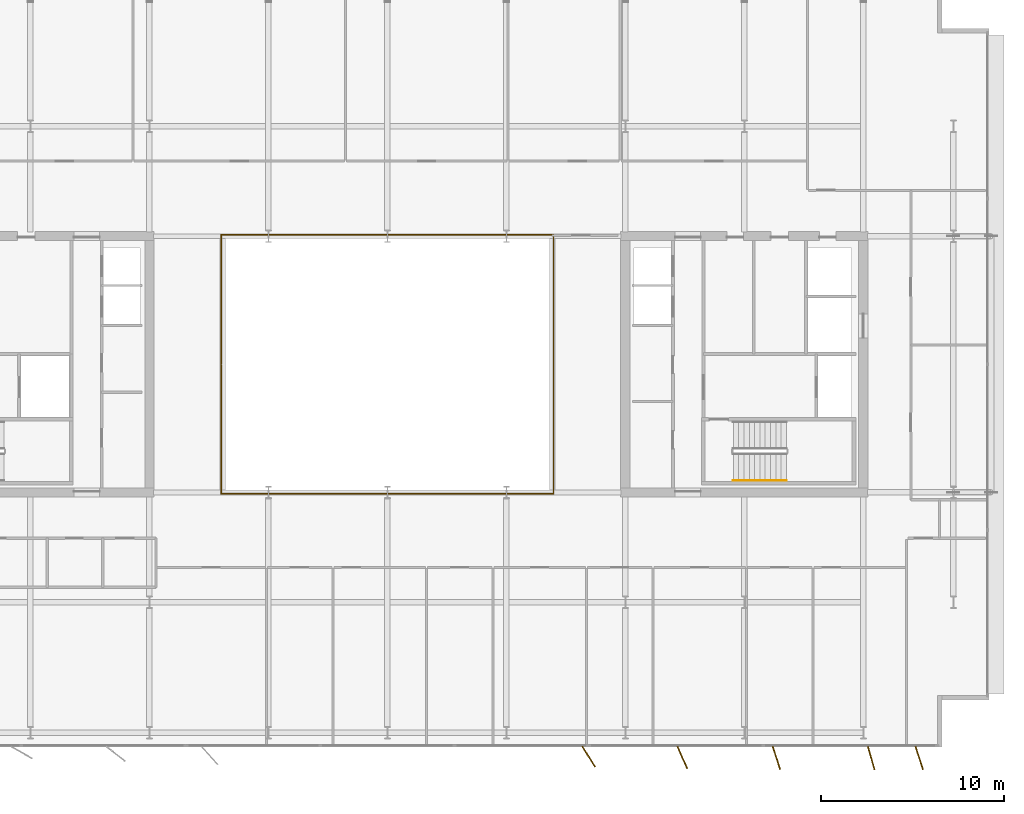
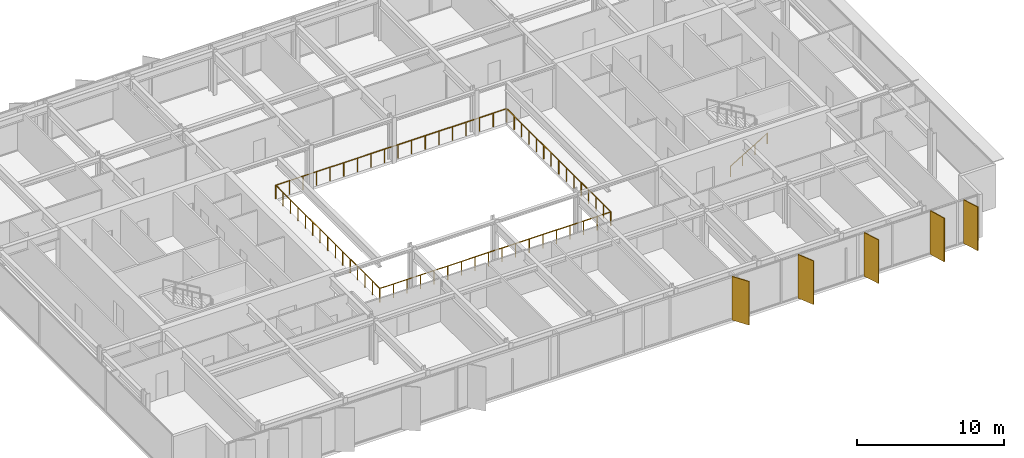
# One storey, part 18 of 20: 5 shading devices, 3 railings.
"""IFC4 building model written with IfcOpenShell, lengths in metres."""

from ifc_helpers import new_model, si_unit, direction, frame, origin, origin_2d, place, context, subcontext, project, spatial, rectangle, circle, extrude, material, layer, layer_set, type_object, element, save


model = new_model("IFC4")

# Units and contexts
model_context = context("Model", 3, precision=1e-05, world=origin(), true_north=direction((0.0, 1.0)))
body_context = subcontext(model_context, "Body", "Model", "MODEL_VIEW")
ifc_project = project(units=[si_unit("LENGTHUNIT", "METRE"), si_unit("AREAUNIT", "SQUARE_METRE"), si_unit("VOLUMEUNIT", "CUBIC_METRE"), si_unit("PLANEANGLEUNIT", "RADIAN"), si_unit("MASSUNIT", "GRAM", prefix="KILO")], contexts=[model_context])

# Site, building, storey
site_placement = place(None, origin())
site = spatial("IfcSite", under=ifc_project, at=site_placement, CompositionType="ELEMENT")
building_placement = place(site_placement, origin())
building = spatial("IfcBuilding", under=site, at=building_placement, Name="Putna Gate Headquarters", CompositionType="ELEMENT")
storey_placement = place(building_placement, frame((0.0, 0.0, 274.60009765625)))
storey = spatial("IfcBuildingStorey", under=building, at=storey_placement, Name="L69", CompositionType="ELEMENT", Elevation=274.60009765625)

# Railings
ifc_material_1 = material(Name="Anodised bronze and laminated glass atrium balustrade", Category="glass")
railing_type_1 = type_object("IfcRailingType", Name="RAIL-ATRIUM-GUARD-1150", PredefinedType="GUARDRAIL", material=ifc_material_1)
railing_1_placement = place(storey_placement, frame((29.919921875, 25.969970703125, 0.0)))
element("IfcRailing", 1, at=railing_1_placement, inside=storey, type_object=railing_type_1, Name="L69 Central Atrium Glazed Balustrade South", PredefinedType="GUARDRAIL", context=body_context, shape_type="SweptSolid", body=[
    extrude(circle(Radius=0.02392578125, at=origin_2d()), frame((0.0, 0.0, 1.1259765625), z_axis=(0.0, -1.0, 0.0), x_axis=(1.0, 0.0, 0.0)), (0.0, 0.0, 1.0), 7.050048828125),
    extrude(circle(Radius=0.02392578125, at=origin_2d()), frame((0.0, -7.050048828125, 1.1259765625), z_axis=(1.0, 0.0, 0.0), x_axis=(0.0, 1.0, 0.0)), (0.0, 0.0, 1.0), 18.16015625),
    extrude(circle(Radius=0.02392578125, at=origin_2d()), frame((18.16015625, -7.050048828125, 1.1259765625), z_axis=(0.0, 1.0, 0.0), x_axis=(-1.0, 0.0, 0.0)), (0.0, 0.0, 1.0), 7.050048828125),
    extrude(circle(Radius=0.02099609375, at=origin_2d()), origin(), (0.0, 0.0, 1.0), 1.101806640625),
    extrude(circle(Radius=0.02099609375, at=origin_2d()), frame((0.0, -1.007080078125, 0.0)), (0.0, 0.0, 1.0), 1.101806640625),
    extrude(circle(Radius=0.02099609375, at=origin_2d()), frame((0.0, -2.014404296875, 0.0)), (0.0, 0.0, 1.0), 1.101806640625),
    extrude(circle(Radius=0.02099609375, at=origin_2d()), frame((0.0, -3.021484375, 0.0)), (0.0, 0.0, 1.0), 1.101806640625),
    extrude(circle(Radius=0.02099609375, at=origin_2d()), frame((0.0, -4.028564453125, 0.0)), (0.0, 0.0, 1.0), 1.101806640625),
    extrude(circle(Radius=0.02099609375, at=origin_2d()), frame((0.0, -5.03564453125, 0.0)), (0.0, 0.0, 1.0), 1.101806640625),
    extrude(circle(Radius=0.02099609375, at=origin_2d()), frame((0.0, -6.04296875, 0.0)), (0.0, 0.0, 1.0), 1.101806640625),
    extrude(circle(Radius=0.02099609375, at=origin_2d()), frame((0.0, -7.050048828125, 0.0)), (0.0, 0.0, 1.0), 1.101806640625),
    extrude(circle(Radius=0.02099609375, at=origin_2d()), frame((1.068359375, -7.050048828125, 0.0)), (0.0, 0.0, 1.0), 1.101806640625),
    extrude(circle(Radius=0.02099609375, at=origin_2d()), frame((2.136474609375, -7.050048828125, 0.0)), (0.0, 0.0, 1.0), 1.101806640625),
    extrude(circle(Radius=0.02099609375, at=origin_2d()), frame((3.204833984375, -7.050048828125, 0.0)), (0.0, 0.0, 1.0), 1.101806640625),
    extrude(circle(Radius=0.02099609375, at=origin_2d()), frame((4.27294921875, -7.050048828125, 0.0)), (0.0, 0.0, 1.0), 1.101806640625),
    extrude(circle(Radius=0.02099609375, at=origin_2d()), frame((5.34130859375, -7.050048828125, 0.0)), (0.0, 0.0, 1.0), 1.101806640625),
    extrude(circle(Radius=0.02099609375, at=origin_2d()), frame((6.409423828125, -7.050048828125, 0.0)), (0.0, 0.0, 1.0), 1.101806640625),
    extrude(circle(Radius=0.02099609375, at=origin_2d()), frame((7.477783203125, -7.050048828125, 0.0)), (0.0, 0.0, 1.0), 1.101806640625),
    extrude(circle(Radius=0.02099609375, at=origin_2d()), frame((8.5458984375, -7.050048828125, 0.0)), (0.0, 0.0, 1.0), 1.101806640625),
    extrude(circle(Radius=0.02099609375, at=origin_2d()), frame((9.6142578125, -7.050048828125, 0.0)), (0.0, 0.0, 1.0), 1.101806640625),
    extrude(circle(Radius=0.02099609375, at=origin_2d()), frame((10.682373046875, -7.050048828125, 0.0)), (0.0, 0.0, 1.0), 1.101806640625),
    extrude(circle(Radius=0.02099609375, at=origin_2d()), frame((11.750732421875, -7.050048828125, 0.0)), (0.0, 0.0, 1.0), 1.101806640625),
    extrude(circle(Radius=0.02099609375, at=origin_2d()), frame((12.81884765625, -7.050048828125, 0.0)), (0.0, 0.0, 1.0), 1.101806640625),
    extrude(circle(Radius=0.02099609375, at=origin_2d()), frame((13.88720703125, -7.050048828125, 0.0)), (0.0, 0.0, 1.0), 1.101806640625),
    extrude(circle(Radius=0.02099609375, at=origin_2d()), frame((14.955322265625, -7.050048828125, 0.0)), (0.0, 0.0, 1.0), 1.101806640625),
    extrude(circle(Radius=0.02099609375, at=origin_2d()), frame((16.023681640625, -7.050048828125, 0.0)), (0.0, 0.0, 1.0), 1.101806640625),
    extrude(circle(Radius=0.02099609375, at=origin_2d()), frame((17.091796875, -7.050048828125, 0.0)), (0.0, 0.0, 1.0), 1.101806640625),
    extrude(circle(Radius=0.02099609375, at=origin_2d()), frame((18.16015625, -7.050048828125, 0.0)), (0.0, 0.0, 1.0), 1.101806640625),
    extrude(circle(Radius=0.02099609375, at=origin_2d()), frame((18.16015625, -6.04296875, 0.0)), (0.0, 0.0, 1.0), 1.101806640625),
    extrude(circle(Radius=0.02099609375, at=origin_2d()), frame((18.16015625, -5.03564453125, 0.0)), (0.0, 0.0, 1.0), 1.101806640625),
    extrude(circle(Radius=0.02099609375, at=origin_2d()), frame((18.16015625, -4.028564453125, 0.0)), (0.0, 0.0, 1.0), 1.101806640625),
    extrude(circle(Radius=0.02099609375, at=origin_2d()), frame((18.16015625, -3.021484375, 0.0)), (0.0, 0.0, 1.0), 1.101806640625),
    extrude(circle(Radius=0.02099609375, at=origin_2d()), frame((18.16015625, -2.014404296875, 0.0)), (0.0, 0.0, 1.0), 1.101806640625),
    extrude(circle(Radius=0.02099609375, at=origin_2d()), frame((18.16015625, -1.007080078125, 0.0)), (0.0, 0.0, 1.0), 1.101806640625),
    extrude(circle(Radius=0.02099609375, at=origin_2d()), frame((18.16015625, 0.0, 0.0)), (0.0, 0.0, 1.0), 1.101806640625),
])
railing_2_placement = place(storey_placement, frame((48.080078125, 26.030029296875, 0.0)))
element("IfcRailing", 2, at=railing_2_placement, inside=storey, type_object=railing_type_1, Name="L69 Central Atrium Glazed Balustrade North", PredefinedType="GUARDRAIL", context=body_context, shape_type="SweptSolid", body=[
    extrude(circle(Radius=0.02392578125, at=origin_2d()), frame((0.0, 0.0, 1.1259765625), z_axis=(0.0, 1.0, 0.0), x_axis=(-1.0, 0.0, 0.0)), (0.0, 0.0, 1.0), 7.050048828125),
    extrude(circle(Radius=0.02392578125, at=origin_2d()), frame((0.0, 7.050048828125, 1.1259765625), z_axis=(-1.0, 0.0, 0.0), x_axis=(0.0, -1.0, 0.0)), (0.0, 0.0, 1.0), 18.16015625),
    extrude(circle(Radius=0.02392578125, at=origin_2d()), frame((-18.16015625, 7.050048828125, 1.1259765625), z_axis=(0.0, -1.0, 0.0), x_axis=(1.0, 0.0, 0.0)), (0.0, 0.0, 1.0), 7.050048828125),
    extrude(circle(Radius=0.02099609375, at=origin_2d()), origin(), (0.0, 0.0, 1.0), 1.101806640625),
    extrude(circle(Radius=0.02099609375, at=origin_2d()), frame((0.0, 1.007080078125, 0.0)), (0.0, 0.0, 1.0), 1.101806640625),
    extrude(circle(Radius=0.02099609375, at=origin_2d()), frame((0.0, 2.014404296875, 0.0)), (0.0, 0.0, 1.0), 1.101806640625),
    extrude(circle(Radius=0.02099609375, at=origin_2d()), frame((0.0, 3.021484375, 0.0)), (0.0, 0.0, 1.0), 1.101806640625),
    extrude(circle(Radius=0.02099609375, at=origin_2d()), frame((0.0, 4.028564453125, 0.0)), (0.0, 0.0, 1.0), 1.101806640625),
    extrude(circle(Radius=0.02099609375, at=origin_2d()), frame((0.0, 5.03564453125, 0.0)), (0.0, 0.0, 1.0), 1.101806640625),
    extrude(circle(Radius=0.02099609375, at=origin_2d()), frame((0.0, 6.04296875, 0.0)), (0.0, 0.0, 1.0), 1.101806640625),
    extrude(circle(Radius=0.02099609375, at=origin_2d()), frame((0.0, 7.050048828125, 0.0)), (0.0, 0.0, 1.0), 1.101806640625),
    extrude(circle(Radius=0.02099609375, at=origin_2d()), frame((-1.068359375, 7.050048828125, 0.0)), (0.0, 0.0, 1.0), 1.101806640625),
    extrude(circle(Radius=0.02099609375, at=origin_2d()), frame((-2.136474609375, 7.050048828125, 0.0)), (0.0, 0.0, 1.0), 1.101806640625),
    extrude(circle(Radius=0.02099609375, at=origin_2d()), frame((-3.204833984375, 7.050048828125, 0.0)), (0.0, 0.0, 1.0), 1.101806640625),
    extrude(circle(Radius=0.02099609375, at=origin_2d()), frame((-4.27294921875, 7.050048828125, 0.0)), (0.0, 0.0, 1.0), 1.101806640625),
    extrude(circle(Radius=0.02099609375, at=origin_2d()), frame((-5.34130859375, 7.050048828125, 0.0)), (0.0, 0.0, 1.0), 1.101806640625),
    extrude(circle(Radius=0.02099609375, at=origin_2d()), frame((-6.409423828125, 7.050048828125, 0.0)), (0.0, 0.0, 1.0), 1.101806640625),
    extrude(circle(Radius=0.02099609375, at=origin_2d()), frame((-7.477783203125, 7.050048828125, 0.0)), (0.0, 0.0, 1.0), 1.101806640625),
    extrude(circle(Radius=0.02099609375, at=origin_2d()), frame((-8.5458984375, 7.050048828125, 0.0)), (0.0, 0.0, 1.0), 1.101806640625),
    extrude(circle(Radius=0.02099609375, at=origin_2d()), frame((-9.6142578125, 7.050048828125, 0.0)), (0.0, 0.0, 1.0), 1.101806640625),
    extrude(circle(Radius=0.02099609375, at=origin_2d()), frame((-10.682373046875, 7.050048828125, 0.0)), (0.0, 0.0, 1.0), 1.101806640625),
    extrude(circle(Radius=0.02099609375, at=origin_2d()), frame((-11.750732421875, 7.050048828125, 0.0)), (0.0, 0.0, 1.0), 1.101806640625),
    extrude(circle(Radius=0.02099609375, at=origin_2d()), frame((-12.81884765625, 7.050048828125, 0.0)), (0.0, 0.0, 1.0), 1.101806640625),
    extrude(circle(Radius=0.02099609375, at=origin_2d()), frame((-13.88720703125, 7.050048828125, 0.0)), (0.0, 0.0, 1.0), 1.101806640625),
    extrude(circle(Radius=0.02099609375, at=origin_2d()), frame((-14.955322265625, 7.050048828125, 0.0)), (0.0, 0.0, 1.0), 1.101806640625),
    extrude(circle(Radius=0.02099609375, at=origin_2d()), frame((-16.023681640625, 7.050048828125, 0.0)), (0.0, 0.0, 1.0), 1.101806640625),
    extrude(circle(Radius=0.02099609375, at=origin_2d()), frame((-17.091796875, 7.050048828125, 0.0)), (0.0, 0.0, 1.0), 1.101806640625),
    extrude(circle(Radius=0.02099609375, at=origin_2d()), frame((-18.16015625, 7.050048828125, 0.0)), (0.0, 0.0, 1.0), 1.101806640625),
    extrude(circle(Radius=0.02099609375, at=origin_2d()), frame((-18.16015625, 6.04296875, 0.0)), (0.0, 0.0, 1.0), 1.101806640625),
    extrude(circle(Radius=0.02099609375, at=origin_2d()), frame((-18.16015625, 5.03564453125, 0.0)), (0.0, 0.0, 1.0), 1.101806640625),
    extrude(circle(Radius=0.02099609375, at=origin_2d()), frame((-18.16015625, 4.028564453125, 0.0)), (0.0, 0.0, 1.0), 1.101806640625),
    extrude(circle(Radius=0.02099609375, at=origin_2d()), frame((-18.16015625, 3.021484375, 0.0)), (0.0, 0.0, 1.0), 1.101806640625),
    extrude(circle(Radius=0.02099609375, at=origin_2d()), frame((-18.16015625, 2.014404296875, 0.0)), (0.0, 0.0, 1.0), 1.101806640625),
    extrude(circle(Radius=0.02099609375, at=origin_2d()), frame((-18.16015625, 1.007080078125, 0.0)), (0.0, 0.0, 1.0), 1.101806640625),
    extrude(circle(Radius=0.02099609375, at=origin_2d()), frame((-18.16015625, 0.0, 0.0)), (0.0, 0.0, 1.0), 1.101806640625),
])
ifc_material_2 = material(Name="Brushed stainless steel handrail", Category="steel")
railing_type_2 = type_object("IfcRailingType", Name="RAIL-STAIR-HAND-900", PredefinedType="HANDRAIL", material=ifc_material_2)
railing_3_placement = place(storey_placement, frame((57.89990234375, 19.64990234375, 0.172607421875)))
element("IfcRailing", 3, at=railing_3_placement, inside=storey, type_object=railing_type_2, Name="L69 ST2 stair handrail 1", PredefinedType="HANDRAIL", context=body_context, shape_type="SweptSolid", body=[
    extrude(circle(Radius=0.02392578125, at=origin_2d()), frame((0.0, 0.0, 0.8759765625), z_axis=(0.859160404282, 0.0, 0.51170636083), x_axis=(0.0, 1.0, 0.0)), (0.0, 0.0, 1.0), 3.37548828125),
    extrude(circle(Radius=0.02099609375, at=origin_2d()), origin(), (0.0, 0.0, 1.0), 0.851806640625),
    extrude(circle(Radius=0.02099609375, at=origin_2d()), frame((0.966796875, 0.0, 0.57568359375)), (0.0, 0.0, 1.0), 0.851806640625),
    extrude(circle(Radius=0.02099609375, at=origin_2d()), frame((1.933349609375, 0.0, 1.151611328125)), (0.0, 0.0, 1.0), 0.851806640625),
    extrude(circle(Radius=0.02099609375, at=origin_2d()), frame((2.900146484375, 0.0, 1.727294921875)), (0.0, 0.0, 1.0), 0.851806640625),
])

# Shading devices
ifc_material_3 = material(Name="Anodised architectural bronze aluminium fin", Category="aluminium")
ifc_layer = layer(ifc_material_3, 0.06494140625)
ifc_layer_set = layer_set([ifc_layer], Name="Anodised architectural bronze aluminium fin")
shading_device_type = type_object("IfcShadingDeviceType", Name="SHADE-BRONZE-FIN-1320", PredefinedType="USERDEFINED", material=ifc_layer_set)
for number, where, z_axis, x_axis, name in (
    (4, (50.000244140625, 4.565673828125, -0.02001953125), (0.0, 0.0, 1.0), (0.530659123936, -0.847585331506, 0.0), "L69 Bronze Vertical Shading Fin S7"),
    (5, (55.114501953125, 4.520263671875, -0.02001953125), (0.0, 0.0, 1.0), (0.400668879095, -0.916222925562, 0.0), "L69 Bronze Vertical Shading Fin S8"),
    (6, (60.253662109375, 4.497314453125, -0.02001953125), (0.0, 0.0, 1.0), (0.308684994204, -0.951164325631, 0.0), "L69 Bronze Vertical Shading Fin S9"),
    (7, (65.431884765625, 4.490478515625, -0.02001953125), (0.0, 0.0, 1.0), (0.275637355817, -0.961261695938, 0.0), "L69 Bronze Vertical Shading Fin S10"),
    (8, (68.0537109375, 4.497314453125, -0.02001953125), (0.0, 0.0, 1.0), (0.308684994204, -0.951164325631, 0.0), "L69 Bronze Vertical Shading Fin S11"),
):
    element("IfcShadingDevice", number, at=place(storey_placement, frame(where, z_axis=z_axis, x_axis=x_axis)), inside=storey, type_object=shading_device_type, Name=name, ObjectType="FIN", PredefinedType="USERDEFINED", context=body_context, shape_type="SweptSolid", body=[
        extrude(rectangle(XDim=1.320068359375, YDim=0.06494140625, at=origin_2d()), origin(), (0.0, 0.0, 1.0), 3.6279296875),
    ])

save(model, "model.ifc")
